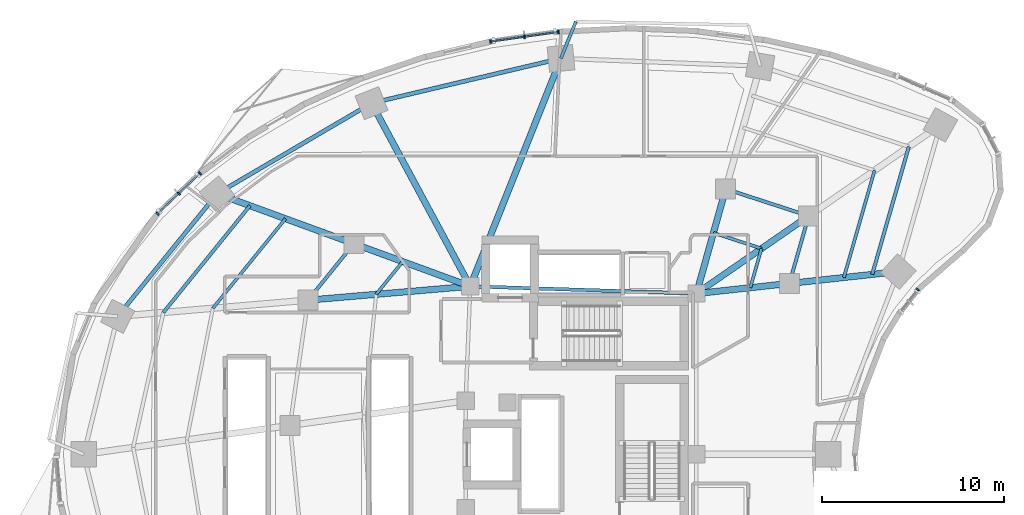
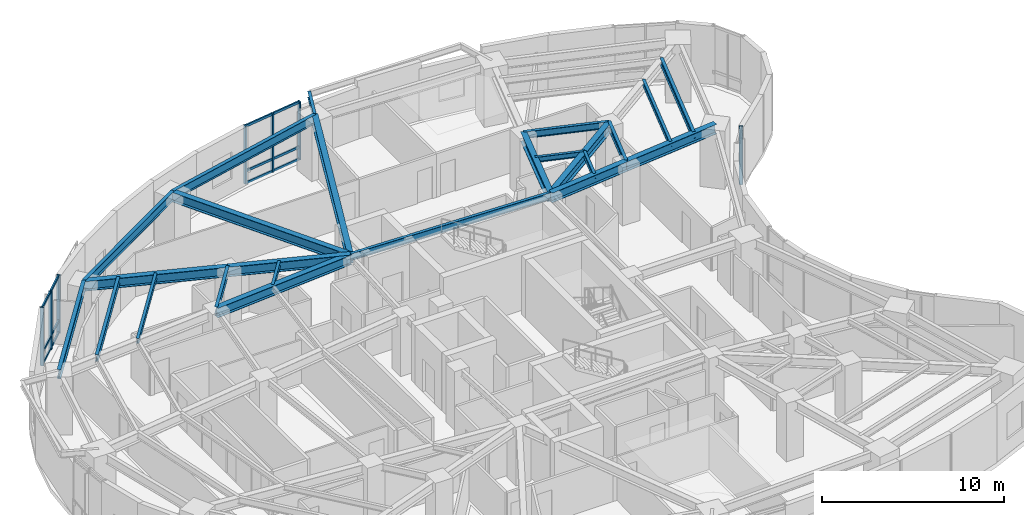
# One storey, part 5 of 15: 24 beams, 19 members, 3 elements without a shape of their own.
"""IFC4 building model written with IfcOpenShell, lengths in metres."""

from ifc_helpers import new_model, si_unit, direction, frame, origin, origin_2d, place, context, subcontext, project, spatial, rectangle, i_section, extrude, material, layer, layer_set, material_profile, profile_set, type_object, element, aggregate, save


model = new_model("IFC4")

# Units and contexts
model_context = context("Model", 3, precision=1e-05, world=origin(), true_north=direction((0.0, 1.0)))
body_context = subcontext(model_context, "Body", "Model", "MODEL_VIEW")
ifc_project = project(units=[si_unit("LENGTHUNIT", "METRE"), si_unit("AREAUNIT", "SQUARE_METRE"), si_unit("VOLUMEUNIT", "CUBIC_METRE"), si_unit("PLANEANGLEUNIT", "RADIAN"), si_unit("MASSUNIT", "GRAM", prefix="KILO")], contexts=[model_context])

# Site, building, storey
site_placement = place(None, origin())
site = spatial("IfcSite", under=ifc_project, at=site_placement, CompositionType="ELEMENT")
building_placement = place(site_placement, origin())
building = spatial("IfcBuilding", under=site, at=building_placement, Name="Korentha Bioscience Tower", CompositionType="ELEMENT")
storey_placement = place(building_placement, frame((0.0, 0.0, 38.39990234375)))
storey = spatial("IfcBuildingStorey", under=building, at=storey_placement, Name="L08", CompositionType="ELEMENT", Elevation=38.39990234375)

# Beams
ifc_material_1 = material(Name="Steel S355", Category="steel")
ifc_material_profile_1 = material_profile(ifc_material_1, i_section(OverallWidth=0.18994140625, OverallDepth=0.45703125, WebThickness=0.009033203125, FlangeThickness=0.014404296875, at=origin_2d()), Name="Steel S355")
ifc_profile_set_1 = profile_set([ifc_material_profile_1], Name="Steel S355 (MB-460)")
beam_type_1 = type_object("IfcBeamType", Name="Mid-Ring Tie Girder W460x74", PredefinedType="BEAM", material=ifc_profile_set_1)
beam_1_placement = place(storey_placement, frame((43.7265625, 40.121337890625, 3.671630859375), z_axis=(-0.950877001105, 0.309568940253, 0.0), x_axis=(-0.309568940253, -0.950877001105, 0.0)))
element("IfcBeam", 1, at=beam_1_placement, inside=storey, type_object=beam_type_1, Name="L08 Mid-Ring Tie Girder 01", PredefinedType="BEAM", context=body_context, shape_type="SweptSolid", body=[
    extrude(i_section(OverallWidth=0.18994140625, OverallDepth=0.45703125, WebThickness=0.009033203125, FlangeThickness=0.014404296875, at=origin_2d()), origin(), (0.0, 0.0, 1.0), 4.80126953125),
])
beam_2_placement = place(storey_placement, frame((18.692138671875, 38.5947265625, 3.671630859375), z_axis=(-0.629790009744, -0.776765436684, 0.0), x_axis=(0.776765436684, -0.629790009744, 0.0)))
element("IfcBeam", 2, at=beam_2_placement, inside=storey, type_object=beam_type_1, Name="L08 Mid-Ring Tie Girder 05", PredefinedType="BEAM", context=body_context, shape_type="SweptSolid", body=[
    extrude(i_section(OverallWidth=0.18994140625, OverallDepth=0.45703125, WebThickness=0.009033203125, FlangeThickness=0.014404296875, at=origin_2d()), origin(), (0.0, 0.0, 1.0), 3.998291015625),
])
beam_3_placement = place(storey_placement, frame((42.66162109375, 36.406982421875, 3.671630859375), z_axis=(0.27560557792, 0.961270807535, 0.0), x_axis=(-0.961270807535, 0.27560557792, 0.0)))
element("IfcBeam", 3, at=beam_3_placement, inside=storey, type_object=beam_type_1, Name="L08 Mid-Ring Tie Girder 16", PredefinedType="BEAM", context=body_context, shape_type="SweptSolid", body=[
    extrude(i_section(OverallWidth=0.18994140625, OverallDepth=0.45703125, WebThickness=0.009033203125, FlangeThickness=0.014404296875, at=origin_2d()), origin(), (0.0, 0.0, 1.0), 3.864013671875),
])
beam_4_placement = place(storey_placement, frame((37.550048828125, 35.85009765625, 3.671630859375), z_axis=(-0.999484526071, 0.032104238723, 0.0), x_axis=(-0.032104238723, -0.999484526071, 0.0)))
element("IfcBeam", 4, at=beam_4_placement, inside=storey, type_object=beam_type_1, Name="L08 Core Ring Tie Girder 01", PredefinedType="BEAM", context=body_context, shape_type="SweptSolid", body=[
    extrude(i_section(OverallWidth=0.18994140625, OverallDepth=0.45703125, WebThickness=0.009033203125, FlangeThickness=0.014404296875, at=origin_2d()), origin(), (0.0, 0.0, 1.0), 12.456298828125),
])

# Curtain wall, members
ifc_material_2 = material(Name="Thermally Broken Aluminium Frame", Category="aluminium")
ifc_layer = layer(ifc_material_2, 0.219970703125, Name="Thermally Broken Aluminium Frame")
ifc_layer_set = layer_set([ifc_layer], Name="Thermally Broken Aluminium Frame (CW-T2)")
curtain_wall_type = type_object("IfcCurtainWallType", Name="Solar-Screened Lab Unitised Curtain Wall CW-T2", PredefinedType="USERDEFINED", material=ifc_layer_set)
curtain_wall_1_placement = place(storey_placement, origin())
curtain_wall_1 = element("IfcCurtainWall", 5, at=curtain_wall_1_placement, inside=storey, type_object=curtain_wall_type, Name="L08 Curtain Wall 07", ObjectType="UNITISED", PredefinedType="USERDEFINED")
ifc_material_3 = material(Name="Anodised Aluminium 6063-T6", Category="aluminium")
ifc_material_profile_2 = material_profile(ifc_material_3, rectangle(XDim=0.090087890625, YDim=0.199951171875, at=origin_2d()), Name="Anodised Aluminium 6063-T6")
ifc_profile_set_2 = profile_set([ifc_material_profile_2], Name="Anodised Aluminium 6063-T6 (CW-MUL)")
member_type_1 = type_object("IfcMemberType", Name="Mullion RECT 90x200", PredefinedType="MULLION", material=ifc_profile_set_2)
member_1_placement = place(storey_placement, frame((29.95849609375, 50.247802734375, 0.0), z_axis=(0.0, 0.0, 1.0), x_axis=(-0.990167372968, -0.139887717511, 0.0)))
member_1 = element("IfcMember", 6, at=member_1_placement, type_object=member_type_1, Name="CW-L08-07 Mullion 1", PredefinedType="MULLION", context=body_context, shape_type="SweptSolid", body=[
    extrude(rectangle(XDim=0.090087890625, YDim=0.199951171875, at=origin_2d()), origin(), (0.0, 0.0, 1.0), 3.900146484375),
])
member_2_placement = place(storey_placement, frame((28.086669921875, 49.9833984375, 0.0), z_axis=(0.0, 0.0, 1.0), x_axis=(-0.990167372968, -0.139887717511, 0.0)))
member_2 = element("IfcMember", 7, at=member_2_placement, type_object=member_type_1, Name="CW-L08-07 Mullion 2", PredefinedType="MULLION", context=body_context, shape_type="SweptSolid", body=[
    extrude(rectangle(XDim=0.090087890625, YDim=0.199951171875, at=origin_2d()), origin(), (0.0, 0.0, 1.0), 3.900146484375),
])
member_3_placement = place(storey_placement, frame((26.214599609375, 49.718994140625, 0.0), z_axis=(0.0, 0.0, 1.0), x_axis=(-0.990167372968, -0.139887717511, 0.0)))
member_3 = element("IfcMember", 8, at=member_3_placement, type_object=member_type_1, Name="CW-L08-07 Mullion 3", PredefinedType="MULLION", context=body_context, shape_type="SweptSolid", body=[
    extrude(rectangle(XDim=0.090087890625, YDim=0.199951171875, at=origin_2d()), origin(), (0.0, 0.0, 1.0), 3.900146484375),
])

curtain_wall_2_placement = place(storey_placement, origin())
curtain_wall_2 = element("IfcCurtainWall", 9, at=curtain_wall_2_placement, inside=storey, type_object=curtain_wall_type, Name="L08 Curtain Wall 13", ObjectType="UNITISED", PredefinedType="USERDEFINED")
member_4_placement = place(storey_placement, frame((10.228759765625, 42.467041015625, 0.0), z_axis=(0.0, 0.0, 1.0), x_axis=(-0.723641761581, -0.690175775361, 0.0)))
member_4 = element("IfcMember", 10, at=member_4_placement, type_object=member_type_1, Name="CW-L08-13 Mullion 1", PredefinedType="MULLION", context=body_context, shape_type="SweptSolid", body=[
    extrude(rectangle(XDim=0.090087890625, YDim=0.199951171875, at=origin_2d()), origin(), (0.0, 0.0, 1.0), 3.900146484375),
])
member_5_placement = place(storey_placement, frame((9.05908203125, 41.3515625, 0.0), z_axis=(0.0, 0.0, 1.0), x_axis=(-0.723641761581, -0.690175775361, 0.0)))
member_5 = element("IfcMember", 11, at=member_5_placement, type_object=member_type_1, Name="CW-L08-13 Mullion 2", PredefinedType="MULLION", context=body_context, shape_type="SweptSolid", body=[
    extrude(rectangle(XDim=0.090087890625, YDim=0.199951171875, at=origin_2d()), origin(), (0.0, 0.0, 1.0), 3.900146484375),
])
member_6_placement = place(storey_placement, frame((7.889404296875, 40.236083984375, 0.0), z_axis=(0.0, 0.0, 1.0), x_axis=(-0.723641761581, -0.690175775361, 0.0)))
member_6 = element("IfcMember", 12, at=member_6_placement, type_object=member_type_1, Name="CW-L08-13 Mullion 3", PredefinedType="MULLION", context=body_context, shape_type="SweptSolid", body=[
    extrude(rectangle(XDim=0.090087890625, YDim=0.199951171875, at=origin_2d()), origin(), (0.0, 0.0, 1.0), 3.900146484375),
])

# Curtain wall, member
curtain_wall_3_placement = place(storey_placement, origin())
curtain_wall_3 = element("IfcCurtainWall", 13, at=curtain_wall_3_placement, inside=storey, type_object=curtain_wall_type, Name="L08 Curtain Wall 55", ObjectType="UNITISED", PredefinedType="USERDEFINED")
member_7_placement = place(storey_placement, frame((49.73291015625, 36.072021484375, 0.0), z_axis=(0.0, 0.0, 1.0), x_axis=(0.622520324648, 0.782603632371, 0.0)))
member_7 = element("IfcMember", 14, at=member_7_placement, type_object=member_type_1, Name="CW-L08-55 Mullion 2", PredefinedType="MULLION", context=body_context, shape_type="SweptSolid", body=[
    extrude(rectangle(XDim=0.090087890625, YDim=0.199951171875, at=origin_2d()), origin(), (0.0, 0.0, 1.0), 3.900146484375),
])
aggregate(curtain_wall_3, [member_7])

# Beams
ifc_material_profile_3 = material_profile(ifc_material_1, i_section(OverallWidth=0.22802734375, OverallDepth=0.60791015625, WebThickness=0.01123046875, FlangeThickness=0.017333984375, at=origin_2d()), Name="Steel S355")
ifc_profile_set_3 = profile_set([ifc_material_profile_3], Name="Steel S355 (SB-610)")
beam_type_2 = type_object("IfcBeamType", Name="Perimeter Ring Spandrel Girder W610x113", PredefinedType="SPANDREL", material=ifc_profile_set_3)
beam_5_placement = place(storey_placement, frame((30.09423828125, 48.79248046875, 3.59619140625), z_axis=(-0.973207885376, -0.229926970672, 0.0), x_axis=(0.229926970672, -0.973207885376, 0.0)))
element("IfcBeam", 15, at=beam_5_placement, inside=storey, type_object=beam_type_2, Name="L08 Perimeter Spandrel Girder 03", PredefinedType="SPANDREL", context=body_context, shape_type="SweptSolid", body=[
    extrude(i_section(OverallWidth=0.22802734375, OverallDepth=0.60791015625, WebThickness=0.01123046875, FlangeThickness=0.017333984375, at=origin_2d()), origin(), (0.0, 0.0, 1.0), 10.71484375),
])
beam_6_placement = place(storey_placement, frame((19.66650390625, 46.328857421875, 3.59619140625), z_axis=(-0.862656574181, -0.505790109653, 0.0), x_axis=(0.505790109653, -0.862656574181, 0.0)))
element("IfcBeam", 16, at=beam_6_placement, inside=storey, type_object=beam_type_2, Name="L08 Perimeter Spandrel Girder 04", PredefinedType="SPANDREL", context=body_context, shape_type="SweptSolid", body=[
    extrude(i_section(OverallWidth=0.22802734375, OverallDepth=0.60791015625, WebThickness=0.01123046875, FlangeThickness=0.017333984375, at=origin_2d()), origin(), (0.0, 0.0, 1.0), 9.849365234375),
])
beam_7_placement = place(storey_placement, frame((11.169921875, 41.34716796875, 3.59619140625), z_axis=(-0.629799210231, -0.776757976974, 0.0), x_axis=(0.776757976974, -0.629799210231, 0.0)))
element("IfcBeam", 17, at=beam_7_placement, inside=storey, type_object=beam_type_2, Name="L08 Perimeter Spandrel Girder 05", PredefinedType="SPANDREL", context=body_context, shape_type="SweptSolid", body=[
    extrude(i_section(OverallWidth=0.22802734375, OverallDepth=0.60791015625, WebThickness=0.01123046875, FlangeThickness=0.017333984375, at=origin_2d()), origin(), (0.0, 0.0, 1.0), 8.69189453125),
])
ifc_material_profile_4 = material_profile(ifc_material_1, i_section(OverallWidth=0.18994140625, OverallDepth=0.45703125, WebThickness=0.009033203125, FlangeThickness=0.014404296875, at=origin_2d()), Name="Steel S355")
ifc_profile_set_4 = profile_set([ifc_material_profile_4], Name="Steel S355 (RB-460)")
beam_type_3 = type_object("IfcBeamType", Name="Radial Laboratory Beam W460x74", PredefinedType="BEAM", material=ifc_profile_set_4)
beam_8_placement = place(storey_placement, frame((12.97509765625, 40.6865234375, 3.671630859375), z_axis=(-0.629797748553, -0.776759162107, 0.0), x_axis=(0.776759162107, -0.629797748553, 0.0)))
element("IfcBeam", 18, at=beam_8_placement, inside=storey, type_object=beam_type_3, Name="L08 Secondary Floor Beam JSTO-05", PredefinedType="BEAM", context=body_context, shape_type="SweptSolid", body=[
    extrude(i_section(OverallWidth=0.18994140625, OverallDepth=0.45703125, WebThickness=0.009033203125, FlangeThickness=0.014404296875, at=origin_2d()), origin(), (0.0, 0.0, 1.0), 7.5654296875),
])
beam_9_placement = place(storey_placement, frame((47.2216796875, 36.90380859375, 3.671630859375), z_axis=(0.275682421415, 0.961248772443, 0.0), x_axis=(-0.961248772443, 0.275682421415, 0.0)))
element("IfcBeam", 19, at=beam_9_placement, inside=storey, type_object=beam_type_3, Name="L08 Secondary Floor Beam JSTO-16", PredefinedType="BEAM", context=body_context, shape_type="SweptSolid", body=[
    extrude(i_section(OverallWidth=0.18994140625, OverallDepth=0.45703125, WebThickness=0.009033203125, FlangeThickness=0.014404296875, at=origin_2d()), origin(), (0.0, 0.0, 1.0), 7.3115234375),
])
ifc_material_profile_5 = material_profile(ifc_material_1, i_section(OverallWidth=0.35009765625, OverallDepth=0.64990234375, WebThickness=0.01611328125, FlangeThickness=0.02490234375, at=origin_2d()), Name="Steel S355")
ifc_profile_set_5 = profile_set([ifc_material_profile_5], Name="Steel S355 (RB-650)")
beam_type_4 = type_object("IfcBeamType", Name="Radial Laboratory Girder CVS 650x208", PredefinedType="BEAM", material=ifc_profile_set_5)
beam_10_placement = place(storey_placement, frame((37.550048828125, 35.85009765625, 3.5751953125), z_axis=(0.822491697625, 0.568777115694, 0.0), x_axis=(-0.568777115694, 0.822491697625, 0.0)))
element("IfcBeam", 20, at=beam_10_placement, inside=storey, type_object=beam_type_4, Name="L08 Inner Radial Girder 01", PredefinedType="BEAM", context=body_context, shape_type="SweptSolid", body=[
    extrude(i_section(OverallWidth=0.35009765625, OverallDepth=0.64990234375, WebThickness=0.01611328125, FlangeThickness=0.02490234375, at=origin_2d()), origin(), (0.0, 0.0, 1.0), 7.509521484375),
])
beam_11_placement = place(storey_placement, frame((37.550048828125, 35.85009765625, 3.5751953125), z_axis=(0.269469369205, 0.963008961049, 0.0), x_axis=(-0.963008961049, 0.269469369205, 0.0)))
element("IfcBeam", 21, at=beam_11_placement, inside=storey, type_object=beam_type_4, Name="L08 Inner Radial Girder 02", PredefinedType="BEAM", context=body_context, shape_type="SweptSolid", body=[
    extrude(i_section(OverallWidth=0.35009765625, OverallDepth=0.64990234375, WebThickness=0.01611328125, FlangeThickness=0.02490234375, at=origin_2d()), origin(), (0.0, 0.0, 1.0), 5.978759765625),
])
beam_12_placement = place(storey_placement, frame((25.10009765625, 36.25, 3.5751953125), z_axis=(0.369931007413, 0.929059228335, 0.0), x_axis=(-0.929059228335, 0.369931007413, 0.0)))
element("IfcBeam", 22, at=beam_12_placement, inside=storey, type_object=beam_type_4, Name="L08 Radial Girder 03", PredefinedType="BEAM", context=body_context, shape_type="SweptSolid", body=[
    extrude(i_section(OverallWidth=0.35009765625, OverallDepth=0.64990234375, WebThickness=0.01611328125, FlangeThickness=0.02490234375, at=origin_2d()), origin(), (0.0, 0.0, 1.0), 13.500244140625),
])
beam_13_placement = place(storey_placement, frame((25.10009765625, 36.25, 3.5751953125), z_axis=(-0.47454097106, 0.880233416081, 0.0), x_axis=(-0.880233416081, -0.47454097106, 0.0)))
element("IfcBeam", 23, at=beam_13_placement, inside=storey, type_object=beam_type_4, Name="L08 Radial Girder 04", PredefinedType="BEAM", context=body_context, shape_type="SweptSolid", body=[
    extrude(i_section(OverallWidth=0.35009765625, OverallDepth=0.64990234375, WebThickness=0.01611328125, FlangeThickness=0.02490234375, at=origin_2d()), origin(), (0.0, 0.0, 1.0), 11.4501953125),
])
beam_14_placement = place(storey_placement, frame((25.10009765625, 36.25, 3.5751953125), z_axis=(-0.939106237741, 0.343626940498, 0.0), x_axis=(-0.343626940498, -0.939106237741, 0.0)))
element("IfcBeam", 24, at=beam_14_placement, inside=storey, type_object=beam_type_4, Name="L08 Inner Radial Girder 05", PredefinedType="BEAM", context=body_context, shape_type="SweptSolid", body=[
    extrude(i_section(OverallWidth=0.35009765625, OverallDepth=0.64990234375, WebThickness=0.01611328125, FlangeThickness=0.02490234375, at=origin_2d()), origin(), (0.0, 0.0, 1.0), 6.823486328125),
])
beam_15_placement = place(storey_placement, frame((18.692138671875, 38.5947265625, 3.5751953125), z_axis=(-0.939106299948, 0.343626770491, 0.0), x_axis=(-0.343626770491, -0.939106299948, 0.0)))
element("IfcBeam", 25, at=beam_15_placement, inside=storey, type_object=beam_type_4, Name="L08 Outer Radial Girder 05", PredefinedType="BEAM", context=body_context, shape_type="SweptSolid", body=[
    extrude(i_section(OverallWidth=0.35009765625, OverallDepth=0.64990234375, WebThickness=0.01611328125, FlangeThickness=0.02490234375, at=origin_2d()), origin(), (0.0, 0.0, 1.0), 8.010009765625),
])
beam_16_placement = place(storey_placement, frame((25.10009765625, 36.25, 3.5751953125), z_axis=(-0.996385503026, -0.08494662654, 0.0), x_axis=(0.08494662654, -0.996385503026, 0.0)))
element("IfcBeam", 26, at=beam_16_placement, inside=storey, type_object=beam_type_4, Name="L08 Inner Radial Girder 06", PredefinedType="BEAM", context=body_context, shape_type="SweptSolid", body=[
    extrude(i_section(OverallWidth=0.35009765625, OverallDepth=0.64990234375, WebThickness=0.01611328125, FlangeThickness=0.02490234375, at=origin_2d()), origin(), (0.0, 0.0, 1.0), 8.95849609375),
])
beam_17_placement = place(storey_placement, frame((37.550048828125, 35.85009765625, 3.5751953125), z_axis=(0.994117709144, 0.10830503389, 0.0), x_axis=(-0.10830503389, 0.994117709144, 0.0)))
element("IfcBeam", 27, at=beam_17_placement, inside=storey, type_object=beam_type_4, Name="L08 Inner Radial Girder 16", PredefinedType="BEAM", context=body_context, shape_type="SweptSolid", body=[
    extrude(i_section(OverallWidth=0.35009765625, OverallDepth=0.64990234375, WebThickness=0.01611328125, FlangeThickness=0.02490234375, at=origin_2d()), origin(), (0.0, 0.0, 1.0), 5.141845703125),
])
beam_18_placement = place(storey_placement, frame((42.66162109375, 36.406982421875, 3.5751953125), z_axis=(0.994115805925, 0.108322501862, 0.0), x_axis=(-0.108322501862, 0.994115805925, 0.0)))
element("IfcBeam", 28, at=beam_18_placement, inside=storey, type_object=beam_type_4, Name="L08 Outer Radial Girder 16", PredefinedType="BEAM", context=body_context, shape_type="SweptSolid", body=[
    extrude(i_section(OverallWidth=0.35009765625, OverallDepth=0.64990234375, WebThickness=0.01611328125, FlangeThickness=0.02490234375, at=origin_2d()), origin(), (0.0, 0.0, 1.0), 6.03564453125),
])
ifc_material_profile_6 = material_profile(ifc_material_1, i_section(OverallWidth=0.1708984375, OverallDepth=0.35498046875, WebThickness=0.007080078125, FlangeThickness=0.01171875, at=origin_2d()), Name="Steel S355")
ifc_profile_set_6 = profile_set([ifc_material_profile_6], Name="Steel S355 (JB-360)")
beam_type_5 = type_object("IfcBeamType", Name="Secondary Laboratory Joist W360x51", PredefinedType="JOIST", material=ifc_profile_set_6)
beam_19_placement = place(storey_placement, frame((41.13232421875, 38.327392578125, 3.72265625), z_axis=(-0.950869630746, 0.309591578254, 0.0), x_axis=(-0.309591578254, -0.950869630746, 0.0)))
element("IfcBeam", 29, at=beam_19_placement, inside=storey, type_object=beam_type_5, Name="L08 Inner Bay Joist 01", PredefinedType="JOIST", context=body_context, shape_type="SweptSolid", body=[
    extrude(i_section(OverallWidth=0.1708984375, OverallDepth=0.35498046875, WebThickness=0.007080078125, FlangeThickness=0.01171875, at=origin_2d()), origin(), (0.0, 0.0, 1.0), 2.784423828125),
])
beam_20_placement = place(storey_placement, frame((14.930908203125, 39.970947265625, 3.72265625), z_axis=(-0.629786899984, -0.776767958021, 0.0), x_axis=(0.776767958021, -0.629786899984, 0.0)))
element("IfcBeam", 30, at=beam_20_placement, inside=storey, type_object=beam_type_5, Name="L08 Secondary Floor Beam JST-05", PredefinedType="JOIST", context=body_context, shape_type="SweptSolid", body=[
    extrude(i_section(OverallWidth=0.1708984375, OverallDepth=0.35498046875, WebThickness=0.007080078125, FlangeThickness=0.01171875, at=origin_2d()), origin(), (0.0, 0.0, 1.0), 6.34521484375),
])
beam_21_placement = place(storey_placement, frame((21.38330078125, 37.60986328125, 3.72265625), z_axis=(-0.629791657613, -0.776764100613, 0.0), x_axis=(0.776764100613, -0.629791657613, 0.0)))
element("IfcBeam", 31, at=beam_21_placement, inside=storey, type_object=beam_type_5, Name="L08 Inner Bay Joist 05", PredefinedType="JOIST", context=body_context, shape_type="SweptSolid", body=[
    extrude(i_section(OverallWidth=0.1708984375, OverallDepth=0.35498046875, WebThickness=0.007080078125, FlangeThickness=0.01171875, at=origin_2d()), origin(), (0.0, 0.0, 1.0), 2.31884765625),
])
beam_22_placement = place(storey_placement, frame((45.66162109375, 36.73388671875, 3.72265625), z_axis=(0.275667500387, 0.96125305161, 0.0), x_axis=(-0.96125305161, 0.275667500387, 0.0)))
element("IfcBeam", 32, at=beam_22_placement, inside=storey, type_object=beam_type_5, Name="L08 Secondary Floor Beam JST-16", PredefinedType="JOIST", context=body_context, shape_type="SweptSolid", body=[
    extrude(i_section(OverallWidth=0.1708984375, OverallDepth=0.35498046875, WebThickness=0.007080078125, FlangeThickness=0.01171875, at=origin_2d()), origin(), (0.0, 0.0, 1.0), 6.132080078125),
])
beam_23_placement = place(storey_placement, frame((40.5146484375, 36.173095703125, 3.72265625), z_axis=(0.275613067773, 0.961268660091, 0.0), x_axis=(-0.961268660091, 0.275613067773, 0.0)))
element("IfcBeam", 33, at=beam_23_placement, inside=storey, type_object=beam_type_5, Name="L08 Inner Bay Joist 16", PredefinedType="JOIST", context=body_context, shape_type="SweptSolid", body=[
    extrude(i_section(OverallWidth=0.1708984375, OverallDepth=0.35498046875, WebThickness=0.007080078125, FlangeThickness=0.01171875, at=origin_2d()), origin(), (0.0, 0.0, 1.0), 2.2412109375),
])
ifc_material_profile_7 = material_profile(ifc_material_1, i_section(OverallWidth=0.177978515625, OverallDepth=0.406982421875, WebThickness=0.0078125, FlangeThickness=0.0126953125, at=origin_2d()), Name="Steel S355")
ifc_profile_set_7 = profile_set([ifc_material_profile_7], Name="Steel S355 (CB-410)")
beam_type_6 = type_object("IfcBeamType", Name="Sun-Ledge Cantilever Beam W410x60", PredefinedType="BEAM", material=ifc_profile_set_7)
beam_24_placement = place(storey_placement, frame((30.09423828125, 48.79248046875, 3.698486328125), z_axis=(0.372971735808, 0.927842704497, 0.0), x_axis=(-0.927842704497, 0.372971735808, 0.0)))
element("IfcBeam", 34, at=beam_24_placement, inside=storey, type_object=beam_type_6, Name="L08 Balcony Cantilever Bracket B-L09-01", PredefinedType="BEAM", context=body_context, shape_type="SweptSolid", body=[
    extrude(i_section(OverallWidth=0.177978515625, OverallDepth=0.406982421875, WebThickness=0.0078125, FlangeThickness=0.0126953125, at=origin_2d()), origin(), (0.0, 0.0, 1.0), 2.182373046875),
])

# Member
ifc_material_profile_8 = material_profile(ifc_material_3, rectangle(XDim=0.090087890625, YDim=0.159912109375, at=origin_2d()), Name="Anodised Aluminium 6063-T6")
ifc_profile_set_8 = profile_set([ifc_material_profile_8], Name="Anodised Aluminium 6063-T6 (CW-TRN)")
member_type_2 = type_object("IfcMemberType", Name="Transom RECT 90x160", PredefinedType="USERDEFINED", material=ifc_profile_set_8)
member_8_placement = place(storey_placement, frame((29.913818359375, 50.24169921875, 0.045166015625), z_axis=(-0.990159924061, -0.139940432982, 0.0), x_axis=(0.139940432982, -0.990159924061, 0.0)))
member_8 = element("IfcMember", 35, at=member_8_placement, type_object=member_type_2, Name="CW-L08-07 Bay 1 Transom 1", ObjectType="TRANSOM", PredefinedType="USERDEFINED", context=body_context, shape_type="SweptSolid", body=[
    extrude(rectangle(XDim=0.090087890625, YDim=0.159912109375, at=origin_2d()), origin(), (0.0, 0.0, 1.0), 1.800537109375),
])

member_9_placement = place(storey_placement, frame((29.913818359375, 50.24169921875, 0.85009765625), z_axis=(-0.990159924061, -0.139940432982, 0.0), x_axis=(0.139940432982, -0.990159924061, 0.0)))
member_9 = element("IfcMember", 36, at=member_9_placement, type_object=member_type_2, Name="CW-L08-07 Bay 1 Transom 2", ObjectType="TRANSOM", PredefinedType="USERDEFINED", context=body_context, shape_type="SweptSolid", body=[
    extrude(rectangle(XDim=0.090087890625, YDim=0.159912109375, at=origin_2d()), origin(), (0.0, 0.0, 1.0), 1.800537109375),
])

member_10_placement = place(storey_placement, frame((29.913818359375, 50.24169921875, 3.85498046875), z_axis=(-0.990159924061, -0.139940432982, 0.0), x_axis=(0.139940432982, -0.990159924061, 0.0)))
member_10 = element("IfcMember", 37, at=member_10_placement, type_object=member_type_2, Name="CW-L08-07 Bay 1 Transom 3", ObjectType="TRANSOM", PredefinedType="USERDEFINED", context=body_context, shape_type="SweptSolid", body=[
    extrude(rectangle(XDim=0.090087890625, YDim=0.159912109375, at=origin_2d()), origin(), (0.0, 0.0, 1.0), 1.800537109375),
])

member_11_placement = place(storey_placement, frame((28.0419921875, 49.977294921875, 0.045166015625), z_axis=(-0.990159924061, -0.139940432982, 0.0), x_axis=(0.139940432982, -0.990159924061, 0.0)))
member_11 = element("IfcMember", 38, at=member_11_placement, type_object=member_type_2, Name="CW-L08-07 Bay 2 Transom 1", ObjectType="TRANSOM", PredefinedType="USERDEFINED", context=body_context, shape_type="SweptSolid", body=[
    extrude(rectangle(XDim=0.090087890625, YDim=0.159912109375, at=origin_2d()), origin(), (0.0, 0.0, 1.0), 1.800537109375),
])

member_12_placement = place(storey_placement, frame((28.0419921875, 49.977294921875, 0.85009765625), z_axis=(-0.990159924061, -0.139940432982, 0.0), x_axis=(0.139940432982, -0.990159924061, 0.0)))
member_12 = element("IfcMember", 39, at=member_12_placement, type_object=member_type_2, Name="CW-L08-07 Bay 2 Transom 2", ObjectType="TRANSOM", PredefinedType="USERDEFINED", context=body_context, shape_type="SweptSolid", body=[
    extrude(rectangle(XDim=0.090087890625, YDim=0.159912109375, at=origin_2d()), origin(), (0.0, 0.0, 1.0), 1.800537109375),
])

member_13_placement = place(storey_placement, frame((28.0419921875, 49.977294921875, 3.85498046875), z_axis=(-0.990159924061, -0.139940432982, 0.0), x_axis=(0.139940432982, -0.990159924061, 0.0)))
member_13 = element("IfcMember", 40, at=member_13_placement, type_object=member_type_2, Name="CW-L08-07 Bay 2 Transom 3", ObjectType="TRANSOM", PredefinedType="USERDEFINED", context=body_context, shape_type="SweptSolid", body=[
    extrude(rectangle(XDim=0.090087890625, YDim=0.159912109375, at=origin_2d()), origin(), (0.0, 0.0, 1.0), 1.800537109375),
])

aggregate(curtain_wall_1, [member_1, member_2, member_3, member_8, member_9, member_10, member_11, member_12, member_13])

member_14_placement = place(storey_placement, frame((10.1962890625, 42.43603515625, 0.045166015625), z_axis=(-0.72370039216, -0.690114296612, 0.0), x_axis=(0.690114296612, -0.72370039216, 0.0)))
member_14 = element("IfcMember", 41, at=member_14_placement, type_object=member_type_2, Name="CW-L08-13 Bay 1 Transom 1", ObjectType="TRANSOM", PredefinedType="USERDEFINED", context=body_context, shape_type="SweptSolid", body=[
    extrude(rectangle(XDim=0.090087890625, YDim=0.159912109375, at=origin_2d()), origin(), (0.0, 0.0, 1.0), 1.526611328125),
])

member_15_placement = place(storey_placement, frame((10.1962890625, 42.43603515625, 0.85009765625), z_axis=(-0.72370039216, -0.690114296612, 0.0), x_axis=(0.690114296612, -0.72370039216, 0.0)))
member_15 = element("IfcMember", 42, at=member_15_placement, type_object=member_type_2, Name="CW-L08-13 Bay 1 Transom 2", ObjectType="TRANSOM", PredefinedType="USERDEFINED", context=body_context, shape_type="SweptSolid", body=[
    extrude(rectangle(XDim=0.090087890625, YDim=0.159912109375, at=origin_2d()), origin(), (0.0, 0.0, 1.0), 1.526611328125),
])

member_16_placement = place(storey_placement, frame((10.1962890625, 42.43603515625, 3.85498046875), z_axis=(-0.72370039216, -0.690114296612, 0.0), x_axis=(0.690114296612, -0.72370039216, 0.0)))
member_16 = element("IfcMember", 43, at=member_16_placement, type_object=member_type_2, Name="CW-L08-13 Bay 1 Transom 3", ObjectType="TRANSOM", PredefinedType="USERDEFINED", context=body_context, shape_type="SweptSolid", body=[
    extrude(rectangle(XDim=0.090087890625, YDim=0.159912109375, at=origin_2d()), origin(), (0.0, 0.0, 1.0), 1.526611328125),
])

member_17_placement = place(storey_placement, frame((9.026611328125, 41.320556640625, 0.045166015625), z_axis=(-0.72370039216, -0.690114296612, 0.0), x_axis=(0.690114296612, -0.72370039216, 0.0)))
member_17 = element("IfcMember", 44, at=member_17_placement, type_object=member_type_2, Name="CW-L08-13 Bay 2 Transom 1", ObjectType="TRANSOM", PredefinedType="USERDEFINED", context=body_context, shape_type="SweptSolid", body=[
    extrude(rectangle(XDim=0.090087890625, YDim=0.159912109375, at=origin_2d()), origin(), (0.0, 0.0, 1.0), 1.526611328125),
])

member_18_placement = place(storey_placement, frame((9.026611328125, 41.320556640625, 0.85009765625), z_axis=(-0.72370039216, -0.690114296612, 0.0), x_axis=(0.690114296612, -0.72370039216, 0.0)))
member_18 = element("IfcMember", 45, at=member_18_placement, type_object=member_type_2, Name="CW-L08-13 Bay 2 Transom 2", ObjectType="TRANSOM", PredefinedType="USERDEFINED", context=body_context, shape_type="SweptSolid", body=[
    extrude(rectangle(XDim=0.090087890625, YDim=0.159912109375, at=origin_2d()), origin(), (0.0, 0.0, 1.0), 1.526611328125),
])

member_19_placement = place(storey_placement, frame((9.026611328125, 41.320556640625, 3.85498046875), z_axis=(-0.72370039216, -0.690114296612, 0.0), x_axis=(0.690114296612, -0.72370039216, 0.0)))
member_19 = element("IfcMember", 46, at=member_19_placement, type_object=member_type_2, Name="CW-L08-13 Bay 2 Transom 3", ObjectType="TRANSOM", PredefinedType="USERDEFINED", context=body_context, shape_type="SweptSolid", body=[
    extrude(rectangle(XDim=0.090087890625, YDim=0.159912109375, at=origin_2d()), origin(), (0.0, 0.0, 1.0), 1.526611328125),
])

aggregate(curtain_wall_2, [member_4, member_5, member_6, member_14, member_15, member_16, member_17, member_18, member_19])

save(model, "model.ifc")
